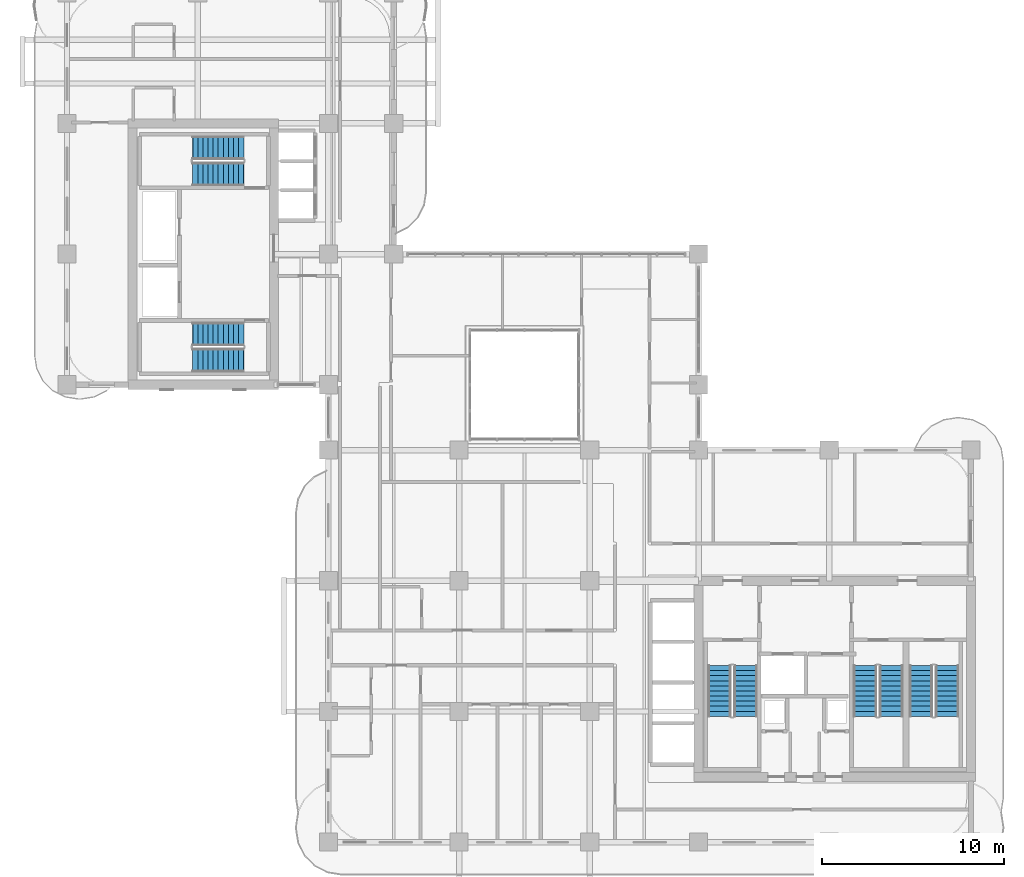
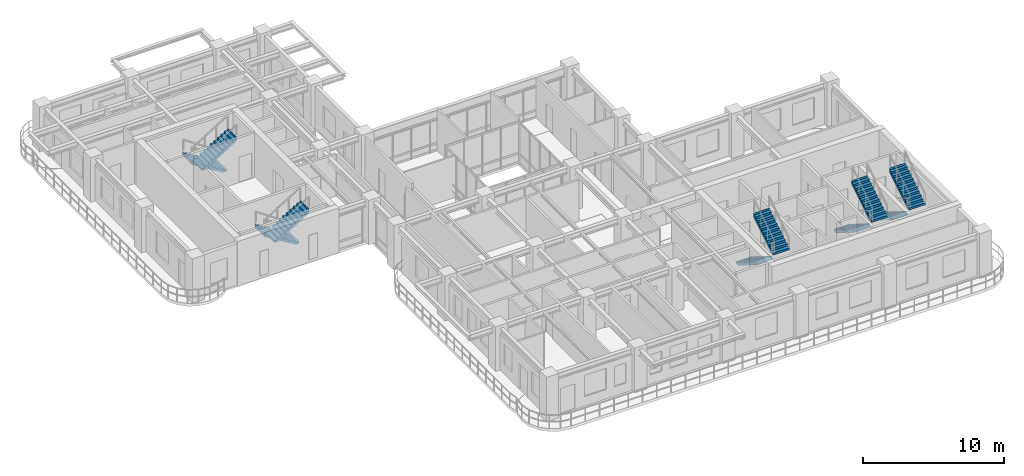
# One storey, part 16 of 20: 10 stair flights, 5 elements without a shape of their own.
"""IFC4 building model written with IfcOpenShell, lengths in metres."""

from ifc_helpers import new_model, si_unit, derived_unit, direction, frame, origin, place, context, subcontext, project, spatial, polyline, outline, extrude, source, transform, mapped, material, layer, layer_set, type_object, element, aggregate, save


model = new_model("IFC4")

# Units and contexts
model_context = context("Model", 3, precision=1e-05, world=origin(), true_north=direction((0.0, 1.0)))
body_context = subcontext(model_context, "Body", "Model", "MODEL_VIEW")
ifc_project = project(units=[si_unit("LENGTHUNIT", "METRE"), si_unit("AREAUNIT", "SQUARE_METRE"), si_unit("VOLUMEUNIT", "CUBIC_METRE"), si_unit("PLANEANGLEUNIT", "RADIAN"), si_unit("MASSUNIT", "GRAM", prefix="KILO"), si_unit("THERMODYNAMICTEMPERATUREUNIT", "KELVIN"), si_unit("POWERUNIT", "WATT"), derived_unit("THERMALTRANSMITTANCEUNIT", [(si_unit("POWERUNIT", "WATT"), 1), (si_unit("AREAUNIT", "SQUARE_METRE"), -1), (si_unit("THERMODYNAMICTEMPERATUREUNIT", "KELVIN"), -1)])], contexts=[model_context])

# Site, building, storey
site_placement = place(None, origin())
site = spatial("IfcSite", under=ifc_project, at=site_placement, CompositionType="ELEMENT")
building_placement = place(site_placement, origin())
building = spatial("IfcBuilding", under=site, at=building_placement, Name="Zahravan Archway Hotel and Residences", CompositionType="ELEMENT")
storey_placement = place(building_placement, frame((0.0, 0.0, 173.39990234375)))
storey = spatial("IfcBuildingStorey", under=building, at=storey_placement, Name="L43", CompositionType="ELEMENT", Elevation=173.39990234375)

# Stair, stair flights
ifc_material = material(Name="Concrete C50/60", Category="concrete")
stair_type = type_object("IfcStairType", Name="STR-CORE-1300", PredefinedType="HALF_TURN_STAIR", material=ifc_material)
stair_1_placement = place(storey_placement, origin())
stair_1 = element("IfcStair", 1, at=stair_1_placement, inside=storey, type_object=stair_type, Name="L43 Core A Exit Stair 1", PredefinedType="HALF_TURN_STAIR")
ifc_layer = layer(ifc_material, 0.199951171875, Name="Concrete C50/60", Category="concrete")
ifc_layer_set = layer_set([ifc_layer], Name="Concrete C50/60")
stair_flight_type = type_object("IfcStairFlightType", Name="SFL-CORE-1300", PredefinedType="STRAIGHT", material=ifc_layer_set)
shared_shape = source(origin(), body_context, "Body", "SweptSolid", [
    extrude(outline(polyline([(-0.01611328125, 0.0), (-0.01611328125, 0.175048828125), (0.280029296875, 0.175048828125), (0.280029296875, 0.35009765625), (0.56005859375, 0.35009765625), (0.56005859375, 0.52490234375), (0.840087890625, 0.52490234375), (0.840087890625, 0.699951171875), (1.1201171875, 0.699951171875), (1.1201171875, 0.875), (1.39990234375, 0.875), (1.39990234375, 1.050048828125), (1.679931640625, 1.050048828125), (1.679931640625, 1.22509765625), (1.9599609375, 1.22509765625), (1.9599609375, 1.39990234375), (2.239990234375, 1.39990234375), (2.239990234375, 1.574951171875), (2.52001953125, 1.574951171875), (2.52001953125, 1.75), (2.800048828125, 1.75), (2.800048828125, 1.925048828125), (2.816162109375, 1.925048828125), (2.816162109375, 1.5732421875), (0.28271484375, 0.0), (-0.01611328125, 0.0)])), frame((0.0, 0.64990234375, 0.0), z_axis=(0.0, -1.0, 0.0), x_axis=(1.0, 0.0, 0.0)), (0.0, 0.0, 1.0), 1.300048828125),
])
stair_flight_1_placement = place(storey_placement, frame((35.949951171875, 9.72998046875, 0.0), z_axis=(0.0, 0.0, 1.0), x_axis=(0.0, -1.0, 0.0)))
stair_flight_1 = element("IfcStairFlight", 2, at=stair_flight_1_placement, type_object=stair_flight_type, Name="ST-A1 flight 1", NumberOfRisers=11, NumberOfTreads=10, PredefinedType="STRAIGHT", RiserHeight=0.175, TreadLength=0.28, context=body_context, shape_type="MappedRepresentation", body=[
    mapped(shared_shape, transform((0.0, 0.0, 0.0), scale=1.0)),
])
stair_flight_2_placement = place(storey_placement, frame((37.389892578125, 6.929931640625, 1.925048828125), z_axis=(0.0, 0.0, 1.0), x_axis=(0.0, 1.0, 0.0)))
stair_flight_2 = element("IfcStairFlight", 3, at=stair_flight_2_placement, type_object=stair_flight_type, Name="ST-A1 flight 2", NumberOfRisers=11, NumberOfTreads=10, PredefinedType="STRAIGHT", RiserHeight=0.175, TreadLength=0.28, context=body_context, shape_type="MappedRepresentation", body=[
    mapped(shared_shape, transform((0.0, 0.0, 0.0), scale=1.0)),
])
aggregate(stair_1, [stair_flight_1, stair_flight_2])

stair_2_placement = place(storey_placement, origin())
stair_2 = element("IfcStair", 4, at=stair_2_placement, inside=storey, type_object=stair_type, Name="L43 Core A Exit Stair 2", PredefinedType="HALF_TURN_STAIR")
stair_flight_3_placement = place(storey_placement, frame((43.969970703125, 9.72998046875, 0.0), z_axis=(0.0, 0.0, 1.0), x_axis=(0.0, -1.0, 0.0)))
stair_flight_3 = element("IfcStairFlight", 5, at=stair_flight_3_placement, type_object=stair_flight_type, Name="ST-A2 flight 1", NumberOfRisers=11, NumberOfTreads=10, PredefinedType="STRAIGHT", RiserHeight=0.175, TreadLength=0.28, context=body_context, shape_type="MappedRepresentation", body=[
    mapped(shared_shape, transform((0.0, 0.0, 0.0), scale=1.0)),
])
stair_flight_4_placement = place(storey_placement, frame((45.409912109375, 6.929931640625, 1.925048828125), z_axis=(0.0, 0.0, 1.0), x_axis=(0.0, 1.0, 0.0)))
stair_flight_4 = element("IfcStairFlight", 6, at=stair_flight_4_placement, type_object=stair_flight_type, Name="ST-A2 flight 2", NumberOfRisers=11, NumberOfTreads=10, PredefinedType="STRAIGHT", RiserHeight=0.175, TreadLength=0.28, context=body_context, shape_type="MappedRepresentation", body=[
    mapped(shared_shape, transform((0.0, 0.0, 0.0), scale=1.0)),
])
aggregate(stair_2, [stair_flight_3, stair_flight_4])

stair_3_placement = place(storey_placement, origin())
stair_3 = element("IfcStair", 7, at=stair_3_placement, inside=storey, type_object=stair_type, Name="L43 Core A Exit Stair 3", PredefinedType="HALF_TURN_STAIR")
stair_flight_5_placement = place(storey_placement, frame((47.050048828125, 9.72998046875, 0.0), z_axis=(0.0, 0.0, 1.0), x_axis=(0.0, -1.0, 0.0)))
stair_flight_5 = element("IfcStairFlight", 8, at=stair_flight_5_placement, type_object=stair_flight_type, Name="ST-A3 flight 1", NumberOfRisers=11, NumberOfTreads=10, PredefinedType="STRAIGHT", RiserHeight=0.175, TreadLength=0.28, context=body_context, shape_type="MappedRepresentation", body=[
    mapped(shared_shape, transform((0.0, 0.0, 0.0), scale=1.0)),
])
stair_flight_6_placement = place(storey_placement, frame((48.489990234375, 6.929931640625, 1.925048828125), z_axis=(0.0, 0.0, 1.0), x_axis=(0.0, 1.0, 0.0)))
stair_flight_6 = element("IfcStairFlight", 9, at=stair_flight_6_placement, type_object=stair_flight_type, Name="ST-A3 flight 2", NumberOfRisers=11, NumberOfTreads=10, PredefinedType="STRAIGHT", RiserHeight=0.175, TreadLength=0.28, context=body_context, shape_type="MappedRepresentation", body=[
    mapped(shared_shape, transform((0.0, 0.0, 0.0), scale=1.0)),
])
aggregate(stair_3, [stair_flight_5, stair_flight_6])

stair_4_placement = place(storey_placement, origin())
stair_4 = element("IfcStair", 10, at=stair_4_placement, inside=storey, type_object=stair_type, Name="L43 Core B Exit Stair 1", PredefinedType="HALF_TURN_STAIR")
stair_flight_7_placement = place(storey_placement, frame((9.72998046875, 27.989990234375, 0.0), z_axis=(0.0, 0.0, 1.0), x_axis=(-1.0, 0.0, 0.0)))
stair_flight_7 = element("IfcStairFlight", 11, at=stair_flight_7_placement, type_object=stair_flight_type, Name="ST-B1 flight 1", NumberOfRisers=11, NumberOfTreads=10, PredefinedType="STRAIGHT", RiserHeight=0.175, TreadLength=0.28, context=body_context, shape_type="MappedRepresentation", body=[
    mapped(shared_shape, transform((0.0, 0.0, 0.0), scale=1.0)),
])
stair_flight_8_placement = place(storey_placement, frame((6.929931640625, 26.550048828125, 1.925048828125), z_axis=(0.0, 0.0, 1.0), x_axis=(1.0, 0.0, 0.0)))
stair_flight_8 = element("IfcStairFlight", 12, at=stair_flight_8_placement, type_object=stair_flight_type, Name="ST-B1 flight 2", NumberOfRisers=11, NumberOfTreads=10, PredefinedType="STRAIGHT", RiserHeight=0.175, TreadLength=0.28, context=body_context, shape_type="MappedRepresentation", body=[
    mapped(shared_shape, transform((0.0, 0.0, 0.0), scale=1.0)),
])
aggregate(stair_4, [stair_flight_7, stair_flight_8])

stair_5_placement = place(storey_placement, origin())
stair_5 = element("IfcStair", 13, at=stair_5_placement, inside=storey, type_object=stair_type, Name="L43 Core B Exit Stair 2", PredefinedType="HALF_TURN_STAIR")
stair_flight_9_placement = place(storey_placement, frame((9.72998046875, 38.25, 0.0), z_axis=(0.0, 0.0, 1.0), x_axis=(-1.0, 0.0, 0.0)))
stair_flight_9 = element("IfcStairFlight", 14, at=stair_flight_9_placement, type_object=stair_flight_type, Name="ST-B2 flight 1", NumberOfRisers=11, NumberOfTreads=10, PredefinedType="STRAIGHT", RiserHeight=0.175, TreadLength=0.28, context=body_context, shape_type="MappedRepresentation", body=[
    mapped(shared_shape, transform((0.0, 0.0, 0.0), scale=1.0)),
])
stair_flight_10_placement = place(storey_placement, frame((6.929931640625, 36.81005859375, 1.925048828125), z_axis=(0.0, 0.0, 1.0), x_axis=(1.0, 0.0, 0.0)))
stair_flight_10 = element("IfcStairFlight", 15, at=stair_flight_10_placement, type_object=stair_flight_type, Name="ST-B2 flight 2", NumberOfRisers=11, NumberOfTreads=10, PredefinedType="STRAIGHT", RiserHeight=0.175, TreadLength=0.28, context=body_context, shape_type="MappedRepresentation", body=[
    mapped(shared_shape, transform((0.0, 0.0, 0.0), scale=1.0)),
])
aggregate(stair_5, [stair_flight_9, stair_flight_10])

save(model, "model.ifc")
